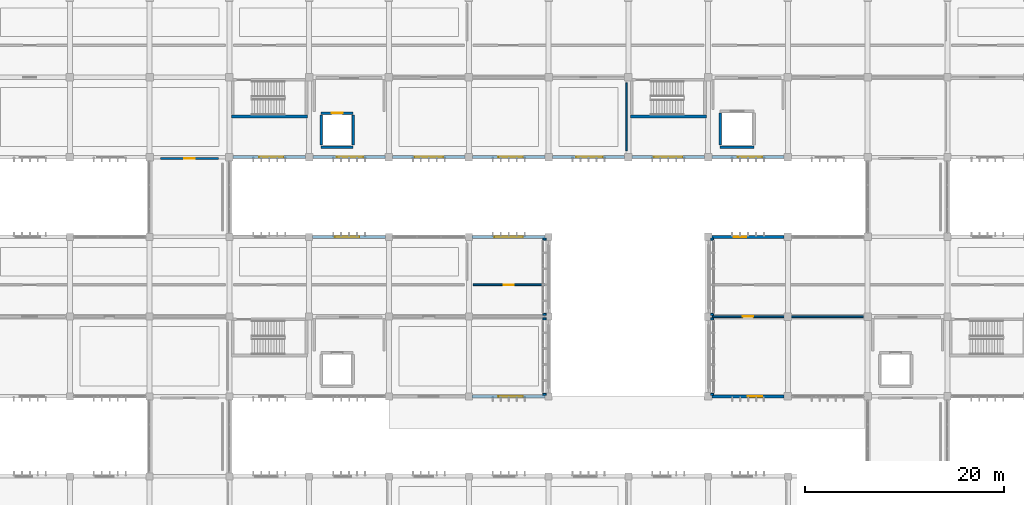
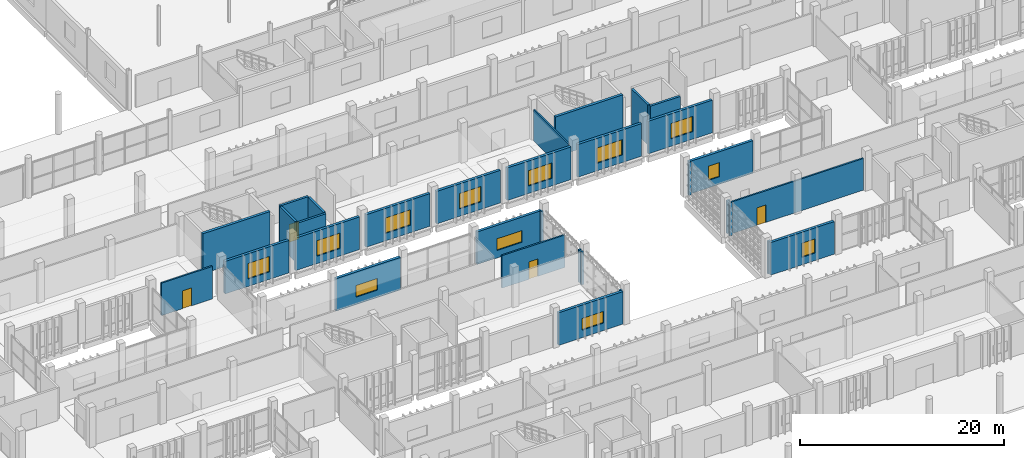
# One storey, part 87 of 117: 32 walls, 12 windows, 4 doors, 16 openings.
"""IFC4 building model written with IfcOpenShell, lengths in metres."""

from ifc_helpers import new_model, si_unit, direction, frame, frame_2d, origin, place, context, subcontext, project, spatial, rectangle, extrude, material, layer, layer_set, type_object, element, fill, save


model = new_model("IFC4")

# Units and contexts
model_context = context("Model", 3, precision=1e-05, world=origin(), true_north=direction((0.0, 1.0)))
body_context = subcontext(model_context, "Body", "Model", "MODEL_VIEW")
ifc_project = project(units=[si_unit("LENGTHUNIT", "METRE"), si_unit("AREAUNIT", "SQUARE_METRE"), si_unit("VOLUMEUNIT", "CUBIC_METRE"), si_unit("PLANEANGLEUNIT", "RADIAN"), si_unit("MASSUNIT", "GRAM", prefix="KILO")], contexts=[model_context])

# Site, building, storey
site_placement = place(None, origin())
site = spatial("IfcSite", under=ifc_project, at=site_placement, CompositionType="ELEMENT")
building_placement = place(site_placement, origin())
building = spatial("IfcBuilding", under=site, at=building_placement, Name="Jelvoka-Kovrelna Polytechnic", CompositionType="ELEMENT")
storey_placement = place(building_placement, origin())
storey = spatial("IfcBuildingStorey", under=building, at=storey_placement, Name="L01", CompositionType="ELEMENT", Elevation=0.0)

# Wall
ifc_material_1 = material(Name="Concrete C40/50", Category="concrete")
ifc_layer_1 = layer(ifc_material_1, 0.25)
ifc_layer_set_1 = layer_set([ifc_layer_1], Name="Concrete C40/50")
wall_type_1 = type_object("IfcWallType", Name="Wall_Core_250", PredefinedType="SOLIDWALL", material=ifc_layer_set_1)
wall_1_placement = place(storey_placement, frame((89.199951171875, 57.0, 0.0), z_axis=(0.0, 0.0, 1.0), x_axis=(1.0, 0.0, 0.0)))
element("IfcWall", 1, at=wall_1_placement, inside=storey, type_object=wall_type_1, Name="L01 interior wall 0264", PredefinedType="SOLIDWALL", context=body_context, shape_type="SweptSolid", body=[
    extrude(rectangle(XDim=3.199951171875, YDim=0.25, at=frame_2d((1.60009765625, 0.0))), origin(), (0.0, 0.0, 1.0), 4.800048828125),
])

# Wall, opening, door
wall_2_placement = place(storey_placement, frame((89.199951171875, 60.39990234375, 0.0), z_axis=(0.0, 0.0, 1.0), x_axis=(1.0, 0.0, 0.0)))
wall_2 = element("IfcWall", 2, at=wall_2_placement, inside=storey, type_object=wall_type_1, Name="L01 interior wall 0265", PredefinedType="SOLIDWALL", context=body_context, shape_type="SweptSolid", body=[
    extrude(rectangle(XDim=3.199951171875, YDim=0.25, at=frame_2d((1.60009765625, 0.0))), origin(), (0.0, 0.0, 1.0), 4.800048828125),
])
opening_1_placement = place(wall_2_placement, frame((1.050048828125, 0.0, 0.0)))
opening_1 = element("IfcOpeningElement", 3, at=opening_1_placement, cuts=wall_2, Name="Opening LD-L01-02", PredefinedType="OPENING", context=body_context, shape_type="SweptSolid", body=[
    extrude(rectangle(XDim=1.10009765625, YDim=2.14990234375, at=frame_2d((0.550048828125, 1.074951171875))), frame((0.0, 0.135009765625, 0.0), z_axis=(0.0, -1.0, 0.0), x_axis=(1.0, 0.0, 0.0)), (0.0, 0.0, 1.0), 0.27001953125),
])
ifc_material_2 = material(Name="Brushed stainless steel sliding landing door", Category="steel")
door_type_1 = type_object("IfcDoorType", Name="Door_Lift_LD01", OperationType="NOTDEFINED", PredefinedType="DOOR", material=ifc_material_2)
door_1_placement = place(opening_1_placement, origin())
door_1 = element("IfcDoor", 4, at=door_1_placement, inside=storey, type_object=door_type_1, Name="L01 lift landing sliding door LD-L01-02", OperationType="DOUBLE_DOOR_SLIDING", OverallHeight=2.14990234375, OverallWidth=1.10009765625, PredefinedType="DOOR", context=body_context, shape_type="SweptSolid", body=[
    extrude(rectangle(XDim=1.10009765625, YDim=2.14990234375, at=frame_2d((0.550048828125, 1.074951171875))), frame((0.0, 0.02490234375, 0.0), z_axis=(0.0, -1.0, 0.0), x_axis=(1.0, 0.0, 0.0)), (0.0, 0.0, 1.0), 0.050048828125),
])
fill(opening_1, door_1)

# Walls
for number, where, z_axis, x_axis, name in (
    (5, (89.199951171875, 57.199951171875, 0.0), (0.0, 0.0, 1.0), (0.0, 1.0, 0.0), "L01 interior wall 0266"),
    (6, (92.39990234375, 57.199951171875, 0.0), (0.0, 0.0, 1.0), (0.0, 1.0, 0.0), "L01 interior wall 0267"),
):
    element("IfcWall", number, at=place(storey_placement, frame(where, z_axis=z_axis, x_axis=x_axis)), inside=storey, type_object=wall_type_1, Name=name, PredefinedType="SOLIDWALL", context=body_context, shape_type="SweptSolid", body=[
        extrude(rectangle(XDim=3.0, YDim=0.25, at=frame_2d((1.5, 0.0))), origin(), (0.0, 0.0, 1.0), 4.800048828125),
    ])
wall_3_placement = place(storey_placement, frame((129.199951171875, 57.0, 0.0), z_axis=(0.0, 0.0, 1.0), x_axis=(1.0, 0.0, 0.0)))
element("IfcWall", 7, at=wall_3_placement, inside=storey, type_object=wall_type_1, Name="L01 interior wall 0635", PredefinedType="SOLIDWALL", context=body_context, shape_type="SweptSolid", body=[
    extrude(rectangle(XDim=3.400146484375, YDim=0.25, at=frame_2d((1.7001953125, 0.0))), origin(), (0.0, 0.0, 1.0), 4.800048828125),
])
wall_4_placement = place(storey_placement, frame((129.199951171875, 57.199951171875, 0.0), z_axis=(0.0, 0.0, 1.0), x_axis=(0.0, 1.0, 0.0)))
element("IfcWall", 8, at=wall_4_placement, inside=storey, type_object=wall_type_1, Name="L01 interior wall 0637", PredefinedType="SOLIDWALL", context=body_context, shape_type="SweptSolid", body=[
    extrude(rectangle(XDim=3.199951171875, YDim=0.25, at=frame_2d((1.60009765625, 0.0))), origin(), (0.0, 0.0, 1.0), 4.800048828125),
])

# Wall, opening, door
ifc_material_3 = material(Name="Autoclaved aerated concrete blockwork", Category="masonry")
ifc_layer_2 = layer(ifc_material_3, 0.179931640625)
ifc_layer_set_2 = layer_set([ifc_layer_2], Name="Autoclaved aerated concrete blockwork")
wall_type_2 = type_object("IfcWallType", Name="Wall_Corridor_180", PredefinedType="PARTITIONING", material=ifc_layer_set_2)
wall_5_placement = place(storey_placement, frame((104.429931640625, 43.199951171875, 0.0), z_axis=(0.0, 0.0, 1.0), x_axis=(1.0, 0.0, 0.0)))
wall_5 = element("IfcWall", 9, at=wall_5_placement, inside=storey, type_object=wall_type_2, Name="L01 interior wall 0876", PredefinedType="PARTITIONING", context=body_context, shape_type="SweptSolid", body=[
    extrude(rectangle(XDim=7.14013671875, YDim=0.179931640625, at=frame_2d((3.570068359375, 0.0))), origin(), (0.0, 0.0, 1.0), 3.89990234375),
])
opening_2_placement = place(wall_5_placement, frame((3.080078125, 0.0, 0.0)))
opening_2 = element("IfcOpeningElement", 10, at=opening_2_placement, cuts=wall_5, Name="Opening D-L01-171", PredefinedType="OPENING", context=body_context, shape_type="SweptSolid", body=[
    extrude(rectangle(XDim=0.97998046875, YDim=2.10009765625, at=frame_2d((0.489990234375, 1.050048828125))), frame((0.0, 0.099853515625, 0.0), z_axis=(0.0, -1.0, 0.0), x_axis=(1.0, 0.0, 0.0)), (0.0, 0.0, 1.0), 0.199951171875),
])
ifc_material_4 = material(Name="Hardwood solid-core door", Category="wood")
door_type_2 = type_object("IfcDoorType", Name="Door_Int_D03", OperationType="NOTDEFINED", PredefinedType="DOOR", material=ifc_material_4)
door_2_placement = place(opening_2_placement, origin())
door_2 = element("IfcDoor", 11, at=door_2_placement, inside=storey, type_object=door_type_2, Name="L01 interior door D-L01-171", OperationType="SINGLE_SWING_LEFT", OverallHeight=2.10009765625, OverallWidth=0.97998046875, PredefinedType="DOOR", context=body_context, shape_type="SweptSolid", body=[
    extrude(rectangle(XDim=0.97998046875, YDim=2.10009765625, at=frame_2d((0.489990234375, 1.050048828125))), frame((0.0, 0.02490234375, 0.0), z_axis=(0.0, -1.0, 0.0), x_axis=(1.0, 0.0, 0.0)), (0.0, 0.0, 1.0), 0.050048828125),
])
fill(opening_2, door_2)

wall_6_placement = place(storey_placement, frame((128.429931640625, 40.0, 0.0), z_axis=(0.0, 0.0, 1.0), x_axis=(1.0, 0.0, 0.0)))
wall_6 = element("IfcWall", 12, at=wall_6_placement, inside=storey, type_object=wall_type_2, Name="L01 interior wall 0877", PredefinedType="PARTITIONING", context=body_context, shape_type="SweptSolid", body=[
    extrude(rectangle(XDim=15.14013671875, YDim=0.179931640625, at=frame_2d((7.570068359375, 0.0))), origin(), (0.0, 0.0, 1.0), 3.81005859375),
])
opening_3_placement = place(wall_6_placement, frame((3.06005859375, 0.0, 0.0)))
opening_3 = element("IfcOpeningElement", 13, at=opening_3_placement, cuts=wall_6, Name="Opening D-L01-172", PredefinedType="OPENING", context=body_context, shape_type="SweptSolid", body=[
    extrude(rectangle(XDim=1.02001953125, YDim=2.10009765625, at=frame_2d((0.510009765625, 1.050048828125))), frame((0.0, 0.099853515625, 0.0), z_axis=(0.0, -1.0, 0.0), x_axis=(1.0, 0.0, 0.0)), (0.0, 0.0, 1.0), 0.199951171875),
])
ifc_material_5 = material(Name="Hardwood solid-core door", Category="wood")
door_type_3 = type_object("IfcDoorType", Name="Door_Int_D04", OperationType="NOTDEFINED", PredefinedType="DOOR", material=ifc_material_5)
door_3_placement = place(opening_3_placement, origin())
door_3 = element("IfcDoor", 14, at=door_3_placement, inside=storey, type_object=door_type_3, Name="L01 interior door D-L01-172", OperationType="SINGLE_SWING_RIGHT", OverallHeight=2.10009765625, OverallWidth=1.02001953125, PredefinedType="DOOR", context=body_context, shape_type="SweptSolid", body=[
    extrude(rectangle(XDim=1.02001953125, YDim=2.10009765625, at=frame_2d((0.510009765625, 1.050048828125))), frame((0.0, 0.02490234375, 0.0), z_axis=(0.0, -1.0, 0.0), x_axis=(1.0, 0.0, 0.0)), (0.0, 0.0, 1.0), 0.050048828125),
])
fill(opening_3, door_3)

wall_7_placement = place(storey_placement, frame((73.10009765625, 55.85009765625, 0.0), z_axis=(0.0, 0.0, 1.0), x_axis=(1.0, 0.0, 0.0)))
wall_7 = element("IfcWall", 15, at=wall_7_placement, inside=storey, type_object=wall_type_2, Name="L01 interior wall 0905", PredefinedType="PARTITIONING", context=body_context, shape_type="SweptSolid", body=[
    extrude(rectangle(XDim=5.7998046875, YDim=0.179931640625, at=frame_2d((2.89990234375, 0.0))), origin(), (0.0, 0.0, 1.0), 3.89990234375),
])
opening_4_placement = place(wall_7_placement, frame((2.3798828125, 0.0, 0.0)))
opening_4 = element("IfcOpeningElement", 16, at=opening_4_placement, cuts=wall_7, Name="Opening D-L01-192", PredefinedType="OPENING", context=body_context, shape_type="SweptSolid", body=[
    extrude(rectangle(XDim=1.0400390625, YDim=2.14990234375, at=frame_2d((0.52001953125, 1.074951171875))), frame((0.0, 0.099853515625, 0.0), z_axis=(0.0, -1.0, 0.0), x_axis=(1.0, 0.0, 0.0)), (0.0, 0.0, 1.0), 0.199951171875),
])
ifc_material_6 = material(Name="Hardwood acoustic seminar door", Category="wood")
door_type_4 = type_object("IfcDoorType", Name="Door_Int_D09", OperationType="NOTDEFINED", PredefinedType="DOOR", material=ifc_material_6)
door_4_placement = place(opening_4_placement, origin())
door_4 = element("IfcDoor", 17, at=door_4_placement, inside=storey, type_object=door_type_4, Name="L01 interior door D-L01-192", OperationType="SINGLE_SWING_LEFT", OverallHeight=2.14990234375, OverallWidth=1.0400390625, PredefinedType="DOOR", context=body_context, shape_type="SweptSolid", body=[
    extrude(rectangle(XDim=1.0400390625, YDim=2.14990234375, at=frame_2d((0.52001953125, 1.074951171875))), frame((0.0, 0.02490234375, 0.0), z_axis=(0.0, -1.0, 0.0), x_axis=(1.0, 0.0, 0.0)), (0.0, 0.0, 1.0), 0.050048828125),
])
fill(opening_4, door_4)

# Wall, opening, window
ifc_material_7 = material(Name="Precast concrete C40/50", Category="concrete")
ifc_layer_3 = layer(ifc_material_7, 0.300048828125)
ifc_layer_set_3 = layer_set([ifc_layer_3], Name="Precast concrete C40/50")
wall_type_3 = type_object("IfcWallType", Name="Wall_Ext_White_300", PredefinedType="STANDARD", material=ifc_layer_set_3)
wall_8_placement = place(storey_placement, frame((88.346923828125, 48.0, 0.0), z_axis=(0.0, 0.0, 1.0), x_axis=(1.0, 0.0, 0.0)))
wall_8 = element("IfcWall", 18, at=wall_8_placement, inside=storey, type_object=wall_type_3, Name="L01 exterior wall 0368", PredefinedType="STANDARD", context=body_context, shape_type="SweptSolid", body=[
    extrude(rectangle(XDim=7.30615234375, YDim=0.300048828125, at=frame_2d((3.653076171875, 0.0))), origin(), (0.0, 0.0, 1.0), 3.909912109375),
])
opening_5_placement = place(wall_8_placement, frame((2.23291015625, 0.0, 0.89990234375)))
opening_5 = element("IfcOpeningElement", 19, at=opening_5_placement, cuts=wall_8, Name="Opening W-L01-118", PredefinedType="OPENING", context=body_context, shape_type="SweptSolid", body=[
    extrude(rectangle(XDim=2.449951171875, YDim=1.39990234375, at=frame_2d((1.22509765625, 0.699951171875))), frame((0.0, 0.159912109375, 0.0), z_axis=(0.0, -1.0, 0.0), x_axis=(1.0, 0.0, 0.0)), (0.0, 0.0, 1.0), 0.320068359375),
])
ifc_material_8 = material(Name="Thermally broken anodised aluminium and low-e glazing", Category="aluminium")
window_type_1 = type_object("IfcWindowType", Name="Win_Casement_W18", PartitioningType="DOUBLE_PANEL_VERTICAL", PredefinedType="WINDOW", material=ifc_material_8)
window_1_placement = place(opening_5_placement, origin())
window_1 = element("IfcWindow", 20, at=window_1_placement, inside=storey, type_object=window_type_1, Name="L01 aluminium casement window W-L01-118", OverallHeight=1.39990234375, OverallWidth=2.449951171875, PartitioningType="DOUBLE_PANEL_VERTICAL", PredefinedType="WINDOW", context=body_context, shape_type="SweptSolid", body=[
    extrude(rectangle(XDim=2.449951171875, YDim=1.39990234375, at=frame_2d((1.22509765625, 0.699951171875))), frame((0.0, 0.030029296875, 0.0), z_axis=(0.0, -1.0, 0.0), x_axis=(1.0, 0.0, 0.0)), (0.0, 0.0, 1.0), 0.06005859375),
])
fill(opening_5, window_1)

wall_9_placement = place(storey_placement, frame((111.653076171875, 32.0, 0.0), z_axis=(0.0, 0.0, 1.0), x_axis=(-1.0, 0.0, 0.0)))
wall_9 = element("IfcWall", 21, at=wall_9_placement, inside=storey, type_object=wall_type_3, Name="L01 exterior wall 0370", PredefinedType="STANDARD", context=body_context, shape_type="SweptSolid", body=[
    extrude(rectangle(XDim=7.30615234375, YDim=0.300048828125, at=frame_2d((3.653076171875, 0.0))), origin(), (0.0, 0.0, 1.0), 3.909912109375),
])
opening_6_placement = place(wall_9_placement, frame((2.23291015625, 0.0, 0.89990234375)))
opening_6 = element("IfcOpeningElement", 22, at=opening_6_placement, cuts=wall_9, Name="Opening W-L01-119", PredefinedType="OPENING", context=body_context, shape_type="SweptSolid", body=[
    extrude(rectangle(XDim=2.449951171875, YDim=1.39990234375, at=frame_2d((1.22509765625, 0.699951171875))), frame((0.0, 0.159912109375, 0.0), z_axis=(0.0, -1.0, 0.0), x_axis=(1.0, 0.0, 0.0)), (0.0, 0.0, 1.0), 0.320068359375),
])
window_2_placement = place(opening_6_placement, origin())
window_2 = element("IfcWindow", 23, at=window_2_placement, inside=storey, type_object=window_type_1, Name="L01 aluminium casement window W-L01-119", OverallHeight=1.39990234375, OverallWidth=2.449951171875, PartitioningType="DOUBLE_PANEL_VERTICAL", PredefinedType="WINDOW", context=body_context, shape_type="SweptSolid", body=[
    extrude(rectangle(XDim=2.449951171875, YDim=1.39990234375, at=frame_2d((1.22509765625, 0.699951171875))), frame((0.0, 0.030029296875, 0.0), z_axis=(0.0, -1.0, 0.0), x_axis=(1.0, 0.0, 0.0)), (0.0, 0.0, 1.0), 0.06005859375),
])
fill(opening_6, window_2)

wall_10_placement = place(storey_placement, frame((104.346923828125, 48.0, 0.0), z_axis=(0.0, 0.0, 1.0), x_axis=(1.0, 0.0, 0.0)))
wall_10 = element("IfcWall", 24, at=wall_10_placement, inside=storey, type_object=wall_type_3, Name="L01 exterior wall 0371", PredefinedType="STANDARD", context=body_context, shape_type="SweptSolid", body=[
    extrude(rectangle(XDim=7.30615234375, YDim=0.300048828125, at=frame_2d((3.653076171875, 0.0))), origin(), (0.0, 0.0, 1.0), 3.909912109375),
])
opening_7_placement = place(wall_10_placement, frame((2.23291015625, 0.0, 0.89990234375)))
opening_7 = element("IfcOpeningElement", 25, at=opening_7_placement, cuts=wall_10, Name="Opening W-L01-120", PredefinedType="OPENING", context=body_context, shape_type="SweptSolid", body=[
    extrude(rectangle(XDim=2.85009765625, YDim=1.39990234375, at=frame_2d((1.425048828125, 0.699951171875))), frame((0.0, 0.159912109375, 0.0), z_axis=(0.0, -1.0, 0.0), x_axis=(1.0, 0.0, 0.0)), (0.0, 0.0, 1.0), 0.320068359375),
])
ifc_material_9 = material(Name="Thermally broken anodised aluminium and low-e glazing", Category="aluminium")
window_type_2 = type_object("IfcWindowType", Name="Win_Casement_W20", PartitioningType="DOUBLE_PANEL_VERTICAL", PredefinedType="WINDOW", material=ifc_material_9)
window_3_placement = place(opening_7_placement, origin())
window_3 = element("IfcWindow", 26, at=window_3_placement, inside=storey, type_object=window_type_2, Name="L01 aluminium casement window W-L01-120", OverallHeight=1.39990234375, OverallWidth=2.85009765625, PartitioningType="DOUBLE_PANEL_VERTICAL", PredefinedType="WINDOW", context=body_context, shape_type="SweptSolid", body=[
    extrude(rectangle(XDim=2.85009765625, YDim=1.39990234375, at=frame_2d((1.425048828125, 0.699951171875))), frame((0.0, 0.030029296875, 0.0), z_axis=(0.0, -1.0, 0.0), x_axis=(1.0, 0.0, 0.0)), (0.0, 0.0, 1.0), 0.06005859375),
])
fill(opening_7, window_3)

wall_11_placement = place(storey_placement, frame((135.6279296875, 32.0, 0.0), z_axis=(0.0, 0.0, 1.0), x_axis=(-1.0, 0.0, 0.0)))
wall_11 = element("IfcWall", 27, at=wall_11_placement, inside=storey, type_object=wall_type_3, Name="L01 exterior wall 0446", PredefinedType="STANDARD", context=body_context, shape_type="SweptSolid", body=[
    extrude(rectangle(XDim=7.255859375, YDim=0.300048828125, at=frame_2d((3.6279296875, 0.0))), origin(), (0.0, 0.0, 1.0), 3.909912109375),
])
opening_8_placement = place(wall_11_placement, frame((2.2080078125, 0.0, 0.89990234375)))
opening_8 = element("IfcOpeningElement", 28, at=opening_8_placement, cuts=wall_11, Name="Opening W-L01-169", PredefinedType="OPENING", context=body_context, shape_type="SweptSolid", body=[
    extrude(rectangle(XDim=1.449951171875, YDim=1.699951171875, at=frame_2d((0.72509765625, 0.85009765625))), frame((0.0, 0.159912109375, 0.0), z_axis=(0.0, -1.0, 0.0), x_axis=(1.0, 0.0, 0.0)), (0.0, 0.0, 1.0), 0.320068359375),
])
ifc_material_10 = material(Name="Thermally broken anodised aluminium and low-e glazing", Category="aluminium")
window_type_3 = type_object("IfcWindowType", Name="Win_Casement_W33", PartitioningType="SINGLE_PANEL", PredefinedType="WINDOW", material=ifc_material_10)
window_4_placement = place(opening_8_placement, origin())
window_4 = element("IfcWindow", 29, at=window_4_placement, inside=storey, type_object=window_type_3, Name="L01 aluminium casement window W-L01-169", OverallHeight=1.699951171875, OverallWidth=1.449951171875, PartitioningType="SINGLE_PANEL", PredefinedType="WINDOW", context=body_context, shape_type="SweptSolid", body=[
    extrude(rectangle(XDim=1.449951171875, YDim=1.699951171875, at=frame_2d((0.72509765625, 0.85009765625))), frame((0.0, 0.030029296875, 0.0), z_axis=(0.0, -1.0, 0.0), x_axis=(1.0, 0.0, 0.0)), (0.0, 0.0, 1.0), 0.06005859375),
])
fill(opening_8, window_4)

wall_12_placement = place(storey_placement, frame((128.3720703125, 48.0, 0.0), z_axis=(0.0, 0.0, 1.0), x_axis=(1.0, 0.0, 0.0)))
wall_12 = element("IfcWall", 30, at=wall_12_placement, inside=storey, type_object=wall_type_3, Name="L01 exterior wall 0447", PredefinedType="STANDARD", context=body_context, shape_type="SweptSolid", body=[
    extrude(rectangle(XDim=7.255859375, YDim=0.300048828125, at=frame_2d((3.6279296875, 0.0))), origin(), (0.0, 0.0, 1.0), 3.909912109375),
])
opening_9_placement = place(wall_12_placement, frame((2.2080078125, 0.0, 0.89990234375)))
opening_9 = element("IfcOpeningElement", 31, at=opening_9_placement, cuts=wall_12, Name="Opening W-L01-170", PredefinedType="OPENING", context=body_context, shape_type="SweptSolid", body=[
    extrude(rectangle(XDim=1.25, YDim=1.699951171875, at=frame_2d((0.625, 0.85009765625))), frame((0.0, 0.159912109375, 0.0), z_axis=(0.0, -1.0, 0.0), x_axis=(1.0, 0.0, 0.0)), (0.0, 0.0, 1.0), 0.320068359375),
])
ifc_material_11 = material(Name="Thermally broken anodised aluminium and low-e glazing", Category="aluminium")
window_type_4 = type_object("IfcWindowType", Name="Win_Casement_W32", PartitioningType="SINGLE_PANEL", PredefinedType="WINDOW", material=ifc_material_11)
window_5_placement = place(opening_9_placement, origin())
window_5 = element("IfcWindow", 32, at=window_5_placement, inside=storey, type_object=window_type_4, Name="L01 aluminium casement window W-L01-170", OverallHeight=1.699951171875, OverallWidth=1.25, PartitioningType="SINGLE_PANEL", PredefinedType="WINDOW", context=body_context, shape_type="SweptSolid", body=[
    extrude(rectangle(XDim=1.25, YDim=1.699951171875, at=frame_2d((0.625, 0.85009765625))), frame((0.0, 0.030029296875, 0.0), z_axis=(0.0, -1.0, 0.0), x_axis=(1.0, 0.0, 0.0)), (0.0, 0.0, 1.0), 0.06005859375),
])
fill(opening_9, window_5)

wall_13_placement = place(storey_placement, frame((87.6279296875, 56.0, 0.0), z_axis=(0.0, 0.0, 1.0), x_axis=(-1.0, 0.0, 0.0)))
wall_13 = element("IfcWall", 33, at=wall_13_placement, inside=storey, type_object=wall_type_3, Name="L01 exterior wall 0577", PredefinedType="STANDARD", context=body_context, shape_type="SweptSolid", body=[
    extrude(rectangle(XDim=7.255859375, YDim=0.300048828125, at=frame_2d((3.6279296875, 0.0))), origin(), (0.0, 0.0, 1.0), 3.909912109375),
])
opening_10_placement = place(wall_13_placement, frame((2.2080078125, 0.0, 0.89990234375)))
opening_10 = element("IfcOpeningElement", 34, at=opening_10_placement, cuts=wall_13, Name="Opening W-L01-260", PredefinedType="OPENING", context=body_context, shape_type="SweptSolid", body=[
    extrude(rectangle(XDim=2.449951171875, YDim=1.85009765625, at=frame_2d((1.22509765625, 0.925048828125))), frame((0.0, 0.159912109375, 0.0), z_axis=(0.0, -1.0, 0.0), x_axis=(1.0, 0.0, 0.0)), (0.0, 0.0, 1.0), 0.320068359375),
])
ifc_material_12 = material(Name="Thermally broken anodised aluminium and low-e glazing", Category="aluminium")
window_type_5 = type_object("IfcWindowType", Name="Win_Casement_W48", PartitioningType="DOUBLE_PANEL_VERTICAL", PredefinedType="WINDOW", material=ifc_material_12)
window_6_placement = place(opening_10_placement, origin())
window_6 = element("IfcWindow", 35, at=window_6_placement, inside=storey, type_object=window_type_5, Name="L01 aluminium casement window W-L01-260", OverallHeight=1.85009765625, OverallWidth=2.449951171875, PartitioningType="DOUBLE_PANEL_VERTICAL", PredefinedType="WINDOW", context=body_context, shape_type="SweptSolid", body=[
    extrude(rectangle(XDim=2.449951171875, YDim=1.85009765625, at=frame_2d((1.22509765625, 0.925048828125))), frame((0.0, 0.030029296875, 0.0), z_axis=(0.0, -1.0, 0.0), x_axis=(1.0, 0.0, 0.0)), (0.0, 0.0, 1.0), 0.06005859375),
])
fill(opening_10, window_6)

wall_14_placement = place(storey_placement, frame((95.6279296875, 56.0, 0.0), z_axis=(0.0, 0.0, 1.0), x_axis=(-1.0, 0.0, 0.0)))
wall_14 = element("IfcWall", 36, at=wall_14_placement, inside=storey, type_object=wall_type_3, Name="L01 exterior wall 0578", PredefinedType="STANDARD", context=body_context, shape_type="SweptSolid", body=[
    extrude(rectangle(XDim=7.255859375, YDim=0.300048828125, at=frame_2d((3.6279296875, 0.0))), origin(), (0.0, 0.0, 1.0), 3.909912109375),
])
opening_11_placement = place(wall_14_placement, frame((2.2080078125, 0.0, 0.89990234375)))
opening_11 = element("IfcOpeningElement", 37, at=opening_11_placement, cuts=wall_14, Name="Opening W-L01-261", PredefinedType="OPENING", context=body_context, shape_type="SweptSolid", body=[
    extrude(rectangle(XDim=2.64990234375, YDim=1.85009765625, at=frame_2d((1.324951171875, 0.925048828125))), frame((0.0, 0.159912109375, 0.0), z_axis=(0.0, -1.0, 0.0), x_axis=(1.0, 0.0, 0.0)), (0.0, 0.0, 1.0), 0.320068359375),
])
ifc_material_13 = material(Name="Thermally broken anodised aluminium and low-e glazing", Category="aluminium")
window_type_6 = type_object("IfcWindowType", Name="Win_Casement_W49", PartitioningType="DOUBLE_PANEL_VERTICAL", PredefinedType="WINDOW", material=ifc_material_13)
window_7_placement = place(opening_11_placement, origin())
window_7 = element("IfcWindow", 38, at=window_7_placement, inside=storey, type_object=window_type_6, Name="L01 aluminium casement window W-L01-261", OverallHeight=1.85009765625, OverallWidth=2.64990234375, PartitioningType="DOUBLE_PANEL_VERTICAL", PredefinedType="WINDOW", context=body_context, shape_type="SweptSolid", body=[
    extrude(rectangle(XDim=2.64990234375, YDim=1.85009765625, at=frame_2d((1.324951171875, 0.925048828125))), frame((0.0, 0.030029296875, 0.0), z_axis=(0.0, -1.0, 0.0), x_axis=(1.0, 0.0, 0.0)), (0.0, 0.0, 1.0), 0.06005859375),
])
fill(opening_11, window_7)

wall_15_placement = place(storey_placement, frame((103.6279296875, 56.0, 0.0), z_axis=(0.0, 0.0, 1.0), x_axis=(-1.0, 0.0, 0.0)))
wall_15 = element("IfcWall", 39, at=wall_15_placement, inside=storey, type_object=wall_type_3, Name="L01 exterior wall 0580", PredefinedType="STANDARD", context=body_context, shape_type="SweptSolid", body=[
    extrude(rectangle(XDim=7.255859375, YDim=0.300048828125, at=frame_2d((3.6279296875, 0.0))), origin(), (0.0, 0.0, 1.0), 3.909912109375),
])
opening_12_placement = place(wall_15_placement, frame((2.2080078125, 0.0, 0.89990234375)))
opening_12 = element("IfcOpeningElement", 40, at=opening_12_placement, cuts=wall_15, Name="Opening W-L01-263", PredefinedType="OPENING", context=body_context, shape_type="SweptSolid", body=[
    extrude(rectangle(XDim=2.85009765625, YDim=1.85009765625, at=frame_2d((1.425048828125, 0.925048828125))), frame((0.0, 0.159912109375, 0.0), z_axis=(0.0, -1.0, 0.0), x_axis=(1.0, 0.0, 0.0)), (0.0, 0.0, 1.0), 0.320068359375),
])
ifc_material_14 = material(Name="Thermally broken anodised aluminium and low-e glazing", Category="aluminium")
window_type_7 = type_object("IfcWindowType", Name="Win_Casement_W50", PartitioningType="DOUBLE_PANEL_VERTICAL", PredefinedType="WINDOW", material=ifc_material_14)
window_8_placement = place(opening_12_placement, origin())
window_8 = element("IfcWindow", 41, at=window_8_placement, inside=storey, type_object=window_type_7, Name="L01 aluminium casement window W-L01-263", OverallHeight=1.85009765625, OverallWidth=2.85009765625, PartitioningType="DOUBLE_PANEL_VERTICAL", PredefinedType="WINDOW", context=body_context, shape_type="SweptSolid", body=[
    extrude(rectangle(XDim=2.85009765625, YDim=1.85009765625, at=frame_2d((1.425048828125, 0.925048828125))), frame((0.0, 0.030029296875, 0.0), z_axis=(0.0, -1.0, 0.0), x_axis=(1.0, 0.0, 0.0)), (0.0, 0.0, 1.0), 0.06005859375),
])
fill(opening_12, window_8)

wall_16_placement = place(storey_placement, frame((111.6279296875, 56.0, 0.0), z_axis=(0.0, 0.0, 1.0), x_axis=(-1.0, 0.0, 0.0)))
wall_16 = element("IfcWall", 42, at=wall_16_placement, inside=storey, type_object=wall_type_3, Name="L01 exterior wall 0582", PredefinedType="STANDARD", context=body_context, shape_type="SweptSolid", body=[
    extrude(rectangle(XDim=7.255859375, YDim=0.300048828125, at=frame_2d((3.6279296875, 0.0))), origin(), (0.0, 0.0, 1.0), 3.909912109375),
])
opening_13_placement = place(wall_16_placement, frame((2.2080078125, 0.0, 0.89990234375)))
opening_13 = element("IfcOpeningElement", 43, at=opening_13_placement, cuts=wall_16, Name="Opening W-L01-264", PredefinedType="OPENING", context=body_context, shape_type="SweptSolid", body=[
    extrude(rectangle(XDim=2.449951171875, YDim=1.85009765625, at=frame_2d((1.22509765625, 0.925048828125))), frame((0.0, 0.159912109375, 0.0), z_axis=(0.0, -1.0, 0.0), x_axis=(1.0, 0.0, 0.0)), (0.0, 0.0, 1.0), 0.320068359375),
])
window_9_placement = place(opening_13_placement, origin())
window_9 = element("IfcWindow", 44, at=window_9_placement, inside=storey, type_object=window_type_5, Name="L01 aluminium casement window W-L01-264", OverallHeight=1.85009765625, OverallWidth=2.449951171875, PartitioningType="DOUBLE_PANEL_VERTICAL", PredefinedType="WINDOW", context=body_context, shape_type="SweptSolid", body=[
    extrude(rectangle(XDim=2.449951171875, YDim=1.85009765625, at=frame_2d((1.22509765625, 0.925048828125))), frame((0.0, 0.030029296875, 0.0), z_axis=(0.0, -1.0, 0.0), x_axis=(1.0, 0.0, 0.0)), (0.0, 0.0, 1.0), 0.06005859375),
])
fill(opening_13, window_9)

wall_17_placement = place(storey_placement, frame((119.6279296875, 56.0, 0.0), z_axis=(0.0, 0.0, 1.0), x_axis=(-1.0, 0.0, 0.0)))
wall_17 = element("IfcWall", 45, at=wall_17_placement, inside=storey, type_object=wall_type_3, Name="L01 exterior wall 0584", PredefinedType="STANDARD", context=body_context, shape_type="SweptSolid", body=[
    extrude(rectangle(XDim=7.255859375, YDim=0.300048828125, at=frame_2d((3.6279296875, 0.0))), origin(), (0.0, 0.0, 1.0), 3.909912109375),
])
opening_14_placement = place(wall_17_placement, frame((2.2080078125, 0.0, 0.89990234375)))
opening_14 = element("IfcOpeningElement", 46, at=opening_14_placement, cuts=wall_17, Name="Opening W-L01-266", PredefinedType="OPENING", context=body_context, shape_type="SweptSolid", body=[
    extrude(rectangle(XDim=2.64990234375, YDim=1.85009765625, at=frame_2d((1.324951171875, 0.925048828125))), frame((0.0, 0.159912109375, 0.0), z_axis=(0.0, -1.0, 0.0), x_axis=(1.0, 0.0, 0.0)), (0.0, 0.0, 1.0), 0.320068359375),
])
window_10_placement = place(opening_14_placement, origin())
window_10 = element("IfcWindow", 47, at=window_10_placement, inside=storey, type_object=window_type_6, Name="L01 aluminium casement window W-L01-266", OverallHeight=1.85009765625, OverallWidth=2.64990234375, PartitioningType="DOUBLE_PANEL_VERTICAL", PredefinedType="WINDOW", context=body_context, shape_type="SweptSolid", body=[
    extrude(rectangle(XDim=2.64990234375, YDim=1.85009765625, at=frame_2d((1.324951171875, 0.925048828125))), frame((0.0, 0.030029296875, 0.0), z_axis=(0.0, -1.0, 0.0), x_axis=(1.0, 0.0, 0.0)), (0.0, 0.0, 1.0), 0.06005859375),
])
fill(opening_14, window_10)

wall_18_placement = place(storey_placement, frame((127.6279296875, 56.0, 0.0), z_axis=(0.0, 0.0, 1.0), x_axis=(-1.0, 0.0, 0.0)))
wall_18 = element("IfcWall", 48, at=wall_18_placement, inside=storey, type_object=wall_type_3, Name="L01 exterior wall 0586", PredefinedType="STANDARD", context=body_context, shape_type="SweptSolid", body=[
    extrude(rectangle(XDim=7.255859375, YDim=0.300048828125, at=frame_2d((3.6279296875, 0.0))), origin(), (0.0, 0.0, 1.0), 3.909912109375),
])
opening_15_placement = place(wall_18_placement, frame((2.2080078125, 0.0, 0.89990234375)))
opening_15 = element("IfcOpeningElement", 49, at=opening_15_placement, cuts=wall_18, Name="Opening W-L01-267", PredefinedType="OPENING", context=body_context, shape_type="SweptSolid", body=[
    extrude(rectangle(XDim=2.85009765625, YDim=1.85009765625, at=frame_2d((1.425048828125, 0.925048828125))), frame((0.0, 0.159912109375, 0.0), z_axis=(0.0, -1.0, 0.0), x_axis=(1.0, 0.0, 0.0)), (0.0, 0.0, 1.0), 0.320068359375),
])
window_11_placement = place(opening_15_placement, origin())
window_11 = element("IfcWindow", 50, at=window_11_placement, inside=storey, type_object=window_type_7, Name="L01 aluminium casement window W-L01-267", OverallHeight=1.85009765625, OverallWidth=2.85009765625, PartitioningType="DOUBLE_PANEL_VERTICAL", PredefinedType="WINDOW", context=body_context, shape_type="SweptSolid", body=[
    extrude(rectangle(XDim=2.85009765625, YDim=1.85009765625, at=frame_2d((1.425048828125, 0.925048828125))), frame((0.0, 0.030029296875, 0.0), z_axis=(0.0, -1.0, 0.0), x_axis=(1.0, 0.0, 0.0)), (0.0, 0.0, 1.0), 0.06005859375),
])
fill(opening_15, window_11)

wall_19_placement = place(storey_placement, frame((135.6279296875, 56.0, 0.0), z_axis=(0.0, 0.0, 1.0), x_axis=(-1.0, 0.0, 0.0)))
wall_19 = element("IfcWall", 51, at=wall_19_placement, inside=storey, type_object=wall_type_3, Name="L01 exterior wall 0588", PredefinedType="STANDARD", context=body_context, shape_type="SweptSolid", body=[
    extrude(rectangle(XDim=7.255859375, YDim=0.300048828125, at=frame_2d((3.6279296875, 0.0))), origin(), (0.0, 0.0, 1.0), 3.909912109375),
])
opening_16_placement = place(wall_19_placement, frame((2.2080078125, 0.0, 0.89990234375)))
opening_16 = element("IfcOpeningElement", 52, at=opening_16_placement, cuts=wall_19, Name="Opening W-L01-269", PredefinedType="OPENING", context=body_context, shape_type="SweptSolid", body=[
    extrude(rectangle(XDim=2.449951171875, YDim=1.85009765625, at=frame_2d((1.22509765625, 0.925048828125))), frame((0.0, 0.159912109375, 0.0), z_axis=(0.0, -1.0, 0.0), x_axis=(1.0, 0.0, 0.0)), (0.0, 0.0, 1.0), 0.320068359375),
])
window_12_placement = place(opening_16_placement, origin())
window_12 = element("IfcWindow", 53, at=window_12_placement, inside=storey, type_object=window_type_5, Name="L01 aluminium casement window W-L01-269", OverallHeight=1.85009765625, OverallWidth=2.449951171875, PartitioningType="DOUBLE_PANEL_VERTICAL", PredefinedType="WINDOW", context=body_context, shape_type="SweptSolid", body=[
    extrude(rectangle(XDim=2.449951171875, YDim=1.85009765625, at=frame_2d((1.22509765625, 0.925048828125))), frame((0.0, 0.030029296875, 0.0), z_axis=(0.0, -1.0, 0.0), x_axis=(1.0, 0.0, 0.0)), (0.0, 0.0, 1.0), 0.06005859375),
])
fill(opening_16, window_12)

# Walls
ifc_material_15 = material(Name="Precast concrete C40/50", Category="concrete")
ifc_layer_4 = layer(ifc_material_15, 0.199951171875)
ifc_layer_set_4 = layer_set([ifc_layer_4], Name="Precast concrete C40/50")
wall_type_4 = type_object("IfcWallType", Name="Wall_Parapet_200", PredefinedType="PARAPET", material=ifc_layer_set_4)
for number, where, z_axis, x_axis, name in (
    (54, (111.760009765625, 32.219970703125, 0.0), (0.0, 0.0, 1.0), (-1.0, 0.0, 0.0), "L01 exterior wall 0372"),
    (55, (111.760009765625, 39.780029296875, 0.0), (0.0, 0.0, 1.0), (-1.0, 0.0, 0.0), "L01 exterior wall 0373"),
    (56, (111.760009765625, 40.219970703125, 0.0), (0.0, 0.0, 1.0), (-1.0, 0.0, 0.0), "L01 exterior wall 0374"),
    (57, (111.760009765625, 47.780029296875, 0.0), (0.0, 0.0, 1.0), (-1.0, 0.0, 0.0), "L01 exterior wall 0375"),
    (58, (128.239990234375, 32.219970703125, 0.0), (0.0, 0.0, 1.0), (1.0, 0.0, 0.0), "L01 exterior wall 0453"),
    (59, (128.239990234375, 39.780029296875, 0.0), (0.0, 0.0, 1.0), (1.0, 0.0, 0.0), "L01 exterior wall 0454"),
    (60, (128.239990234375, 40.219970703125, 0.0), (0.0, 0.0, 1.0), (1.0, 0.0, 0.0), "L01 exterior wall 0455"),
    (61, (128.239990234375, 47.780029296875, 0.0), (0.0, 0.0, 1.0), (1.0, 0.0, 0.0), "L01 exterior wall 0456"),
):
    element("IfcWall", number, at=place(storey_placement, frame(where, z_axis=z_axis, x_axis=x_axis)), inside=storey, type_object=wall_type_4, Name=name, PredefinedType="PARAPET", context=body_context, shape_type="SweptSolid", body=[
        extrude(rectangle(XDim=0.320068359375, YDim=0.199951171875, at=frame_2d((0.16015625, 0.0))), origin(), (0.0, 0.0, 1.0), 3.949951171875),
    ])
ifc_material_16 = material(Name="Autoclaved aerated concrete blockwork", Category="masonry")
ifc_layer_5 = layer(ifc_material_16, 0.14990234375)
ifc_layer_set_5 = layer_set([ifc_layer_5], Name="Autoclaved aerated concrete blockwork")
wall_type_5 = type_object("IfcWallType", Name="Wall_Partition_150", PredefinedType="PARTITIONING", material=ifc_layer_set_5)
wall_20_placement = place(storey_placement, frame((119.820068359375, 56.6201171875, 0.0), z_axis=(0.0, 0.0, 1.0), x_axis=(0.0, 1.0, 0.0)))
element("IfcWall", 62, at=wall_20_placement, inside=storey, type_object=wall_type_5, Name="L01 interior wall 0887", PredefinedType="PARTITIONING", context=body_context, shape_type="SweptSolid", body=[
    extrude(rectangle(XDim=6.809814453125, YDim=0.14990234375, at=frame_2d((3.40478515625, 0.0))), origin(), (0.0, 0.0, 1.0), 3.760009765625),
])
ifc_material_17 = material(Name="Concrete C40/50", Category="concrete")
ifc_layer_6 = layer(ifc_material_17, 0.300048828125)
ifc_layer_set_6 = layer_set([ifc_layer_6], Name="Concrete C40/50")
wall_type_6 = type_object("IfcWallType", Name="Wall_Shear_300", PredefinedType="SHEAR", material=ifc_layer_set_6)
for number, where, z_axis, x_axis, name in (
    (63, (80.199951171875, 60.090087890625, 0.0), (0.0, 0.0, 1.0), (1.0, 0.0, 0.0), "L01 interior wall 0149"),
    (64, (120.199951171875, 60.090087890625, 0.0), (0.0, 0.0, 1.0), (1.0, 0.0, 0.0), "L01 interior wall 0221"),
):
    element("IfcWall", number, at=place(storey_placement, frame(where, z_axis=z_axis, x_axis=x_axis)), inside=storey, type_object=wall_type_6, Name=name, PredefinedType="SHEAR", context=body_context, shape_type="SweptSolid", body=[
        extrude(rectangle(XDim=7.650146484375, YDim=0.300048828125, at=frame_2d((3.8251953125, 0.0))), origin(), (0.0, 0.0, 1.0), 4.800048828125),
    ])

save(model, "model.ifc")
